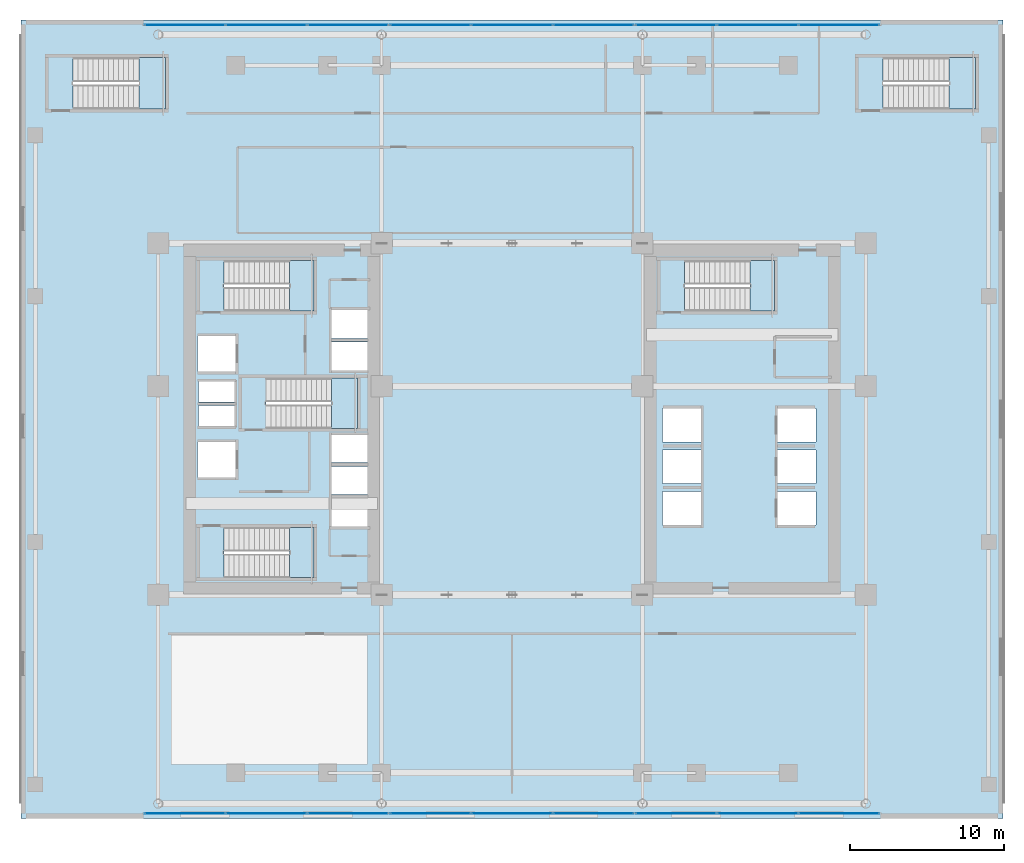
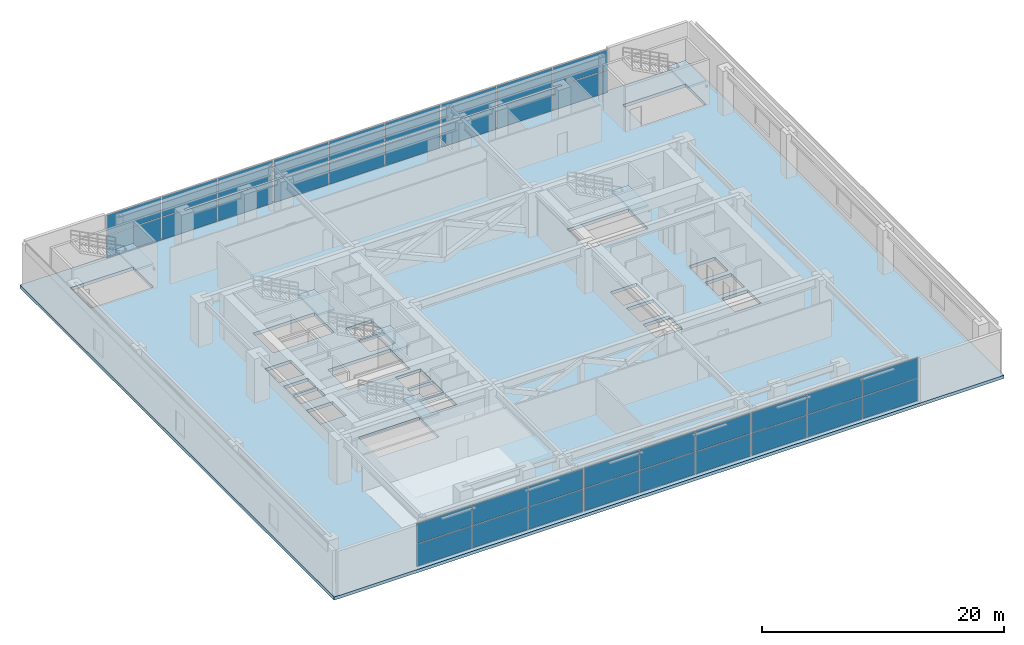
# One storey, part 17 of 28: 36 plates, 7 slabs, 12 elements without a shape of their own.
"""IFC4 building model written with IfcOpenShell, lengths in metres."""

from ifc_helpers import new_model, si_unit, direction, frame, origin, origin_2d, place, context, subcontext, project, spatial, polyline, rectangle, outline, extrude, source, transform, mapped, material, layer, layer_set, type_object, element, aggregate, save


model = new_model("IFC4")

# Units and contexts
model_context = context("Model", 3, precision=1e-05, world=origin(), true_north=direction((0.0, 1.0)))
body_context = subcontext(model_context, "Body", "Model", "MODEL_VIEW")
ifc_project = project(units=[si_unit("LENGTHUNIT", "METRE"), si_unit("AREAUNIT", "SQUARE_METRE"), si_unit("VOLUMEUNIT", "CUBIC_METRE"), si_unit("PLANEANGLEUNIT", "RADIAN"), si_unit("MASSUNIT", "GRAM", prefix="KILO")], contexts=[model_context])

# Site, building, storey
site_placement = place(None, origin())
site = spatial("IfcSite", under=ifc_project, at=site_placement, CompositionType="ELEMENT")
building_placement = place(site_placement, origin())
building = spatial("IfcBuilding", under=site, at=building_placement, Name="Ocotamira Hotel", CompositionType="ELEMENT")
storey_placement = place(building_placement, frame((0.0, 0.0, 24.0)))
storey = spatial("IfcBuildingStorey", under=building, at=storey_placement, Name="L05", CompositionType="ELEMENT", Elevation=24.0)

# Slab
ifc_material_1 = material(Name="Concrete C40/50", Category="concrete")
ifc_layer_1 = layer(ifc_material_1, 0.320068359375)
ifc_layer_set_1 = layer_set([ifc_layer_1], Name="Concrete C40/50")
slab_type_1 = type_object("IfcSlabType", Name="SLB-HVY-320", PredefinedType="FLOOR", material=ifc_layer_set_1)
slab_1_placement = place(storey_placement, frame((0.0, 0.0, -0.320068359375)))
element("IfcSlab", 1, at=slab_1_placement, inside=storey, type_object=slab_type_1, Name="L05 Structural Floor Slab", PredefinedType="FLOOR", context=body_context, shape_type="SweptSolid", body=[
    extrude(outline(polyline([(0.0, 0.0), (64.0, 0.0), (64.0, 52.0), (0.0, 52.0), (0.0, 0.0)]), holes=[polyline([(13.22998046875, 15.669921875), (19.090087890625, 15.669921875), (19.090087890625, 18.949951171875), (13.22998046875, 18.949951171875), (13.22998046875, 15.669921875)]), polyline([(13.22998046875, 33.050048828125), (19.090087890625, 33.050048828125), (19.090087890625, 36.330078125), (13.22998046875, 36.330078125), (13.22998046875, 33.050048828125)]), polyline([(15.9599609375, 25.39990234375), (21.919921875, 25.39990234375), (21.919921875, 28.679931640625), (15.9599609375, 28.679931640625), (15.9599609375, 25.39990234375)]), polyline([(43.22998046875, 33.050048828125), (49.090087890625, 33.050048828125), (49.090087890625, 36.330078125), (43.22998046875, 36.330078125), (43.22998046875, 33.050048828125)]), polyline([(3.39990234375, 46.199951171875), (9.419921875, 46.199951171875), (9.419921875, 49.56005859375), (3.39990234375, 49.56005859375), (3.39990234375, 46.199951171875)]), polyline([(56.179931640625, 46.199951171875), (62.199951171875, 46.199951171875), (62.199951171875, 49.56005859375), (56.179931640625, 49.56005859375), (56.179931640625, 46.199951171875)]), polyline([(49.300048828125, 19.10009765625), (51.800048828125, 19.10009765625), (51.800048828125, 21.300048828125), (49.300048828125, 21.300048828125), (49.300048828125, 19.10009765625)]), polyline([(49.300048828125, 21.800048828125), (51.800048828125, 21.800048828125), (51.800048828125, 24.0), (49.300048828125, 24.0), (49.300048828125, 21.800048828125)]), polyline([(49.300048828125, 24.5), (51.800048828125, 24.5), (51.800048828125, 26.699951171875), (49.300048828125, 26.699951171875), (49.300048828125, 24.5)]), polyline([(41.800048828125, 19.10009765625), (44.300048828125, 19.10009765625), (44.300048828125, 21.300048828125), (41.800048828125, 21.300048828125), (41.800048828125, 19.10009765625)]), polyline([(41.800048828125, 21.800048828125), (44.300048828125, 21.800048828125), (44.300048828125, 24.0), (41.800048828125, 24.0), (41.800048828125, 21.800048828125)]), polyline([(41.800048828125, 24.5), (44.300048828125, 24.5), (44.300048828125, 26.699951171875), (41.800048828125, 26.699951171875), (41.800048828125, 24.5)]), polyline([(20.25, 19.0), (22.659912109375, 19.0), (22.659912109375, 20.85009765625), (20.25, 20.85009765625), (20.25, 19.0)]), polyline([(20.25, 21.080078125), (22.659912109375, 21.080078125), (22.659912109375, 22.929931640625), (20.25, 22.929931640625), (20.25, 21.080078125)]), polyline([(20.25, 23.159912109375), (22.659912109375, 23.159912109375), (22.659912109375, 24.9599609375), (20.25, 24.9599609375), (20.25, 23.159912109375)]), polyline([(20.25, 29.179931640625), (22.659912109375, 29.179931640625), (22.659912109375, 31.030029296875), (20.25, 31.030029296875), (20.25, 29.179931640625)]), polyline([(20.25, 31.260009765625), (22.659912109375, 31.260009765625), (22.659912109375, 33.110107421875), (20.25, 33.110107421875), (20.25, 31.260009765625)]), polyline([(11.5, 22.199951171875), (14.0, 22.199951171875), (14.0, 24.5), (11.5, 24.5), (11.5, 22.199951171875)]), polyline([(11.5, 29.10009765625), (14.0, 29.10009765625), (14.0, 31.39990234375), (11.5, 31.39990234375), (11.5, 29.10009765625)]), polyline([(11.580078125, 25.550048828125), (13.919921875, 25.550048828125), (13.919921875, 26.89990234375), (11.580078125, 26.89990234375), (11.580078125, 25.550048828125)]), polyline([(11.580078125, 27.10009765625), (13.919921875, 27.10009765625), (13.919921875, 28.449951171875), (11.580078125, 28.449951171875), (11.580078125, 27.10009765625)])]), origin(), (0.0, 0.0, 1.0), 0.320068359375),
])

# Stair, slab
stair_type_1 = type_object("IfcStairType", Name="ST-CORE-1560", PredefinedType="HALF_TURN_STAIR", material=ifc_material_1)
stair_1_placement = place(storey_placement, origin())
stair_1 = element("IfcStair", 2, at=stair_1_placement, inside=storey, type_object=stair_type_1, Name="L05 Exit Stair ST-1", PredefinedType="HALF_TURN_STAIR")
ifc_layer_2 = layer(ifc_material_1, 0.199951171875)
ifc_layer_set_2 = layer_set([ifc_layer_2], Name="Concrete C40/50")
slab_type_2 = type_object("IfcSlabType", Name="SLB-LAND-200", PredefinedType="LANDING", material=ifc_layer_set_2)
slab_2_placement = place(storey_placement, frame((0.0, 0.0, 2.199951171875)))
slab_2 = element("IfcSlab", 3, at=slab_2_placement, type_object=slab_type_2, Name="ST-1 landing 1", PredefinedType="LANDING", context=body_context, shape_type="SweptSolid", body=[
    extrude(outline(polyline([(17.52001953125, 15.669921875), (19.090087890625, 15.669921875), (19.090087890625, 18.949951171875), (17.52001953125, 18.949951171875), (17.52001953125, 15.669921875)])), origin(), (0.0, 0.0, 1.0), 0.199951171875),
])
aggregate(stair_1, [slab_2])

stair_2_placement = place(storey_placement, origin())
stair_2 = element("IfcStair", 4, at=stair_2_placement, inside=storey, type_object=stair_type_1, Name="L05 Exit Stair ST-2", PredefinedType="HALF_TURN_STAIR")
slab_3_placement = place(storey_placement, frame((0.0, 0.0, 2.199951171875)))
slab_3 = element("IfcSlab", 5, at=slab_3_placement, type_object=slab_type_2, Name="ST-2 landing 1", PredefinedType="LANDING", context=body_context, shape_type="SweptSolid", body=[
    extrude(outline(polyline([(17.52001953125, 33.050048828125), (19.090087890625, 33.050048828125), (19.090087890625, 36.330078125), (17.52001953125, 36.330078125), (17.52001953125, 33.050048828125)])), origin(), (0.0, 0.0, 1.0), 0.199951171875),
])
aggregate(stair_2, [slab_3])

stair_3_placement = place(storey_placement, origin())
stair_3 = element("IfcStair", 6, at=stair_3_placement, inside=storey, type_object=stair_type_1, Name="L05 Exit Stair ST-3", PredefinedType="HALF_TURN_STAIR")
slab_4_placement = place(storey_placement, frame((0.0, 0.0, 2.199951171875)))
slab_4 = element("IfcSlab", 7, at=slab_4_placement, type_object=slab_type_2, Name="ST-3 landing 1", PredefinedType="LANDING", context=body_context, shape_type="SweptSolid", body=[
    extrude(outline(polyline([(20.25, 25.39990234375), (21.919921875, 25.39990234375), (21.919921875, 28.679931640625), (20.25, 28.679931640625), (20.25, 25.39990234375)])), origin(), (0.0, 0.0, 1.0), 0.199951171875),
])
aggregate(stair_3, [slab_4])

stair_4_placement = place(storey_placement, origin())
stair_4 = element("IfcStair", 8, at=stair_4_placement, inside=storey, type_object=stair_type_1, Name="L05 Exit Stair ST-4", PredefinedType="HALF_TURN_STAIR")
slab_5_placement = place(storey_placement, frame((0.0, 0.0, 2.199951171875)))
slab_5 = element("IfcSlab", 9, at=slab_5_placement, type_object=slab_type_2, Name="ST-4 landing 1", PredefinedType="LANDING", context=body_context, shape_type="SweptSolid", body=[
    extrude(outline(polyline([(47.52001953125, 33.050048828125), (49.090087890625, 33.050048828125), (49.090087890625, 36.330078125), (47.52001953125, 36.330078125), (47.52001953125, 33.050048828125)])), origin(), (0.0, 0.0, 1.0), 0.199951171875),
])
aggregate(stair_4, [slab_5])

stair_type_2 = type_object("IfcStairType", Name="ST-POD-1600", PredefinedType="HALF_TURN_STAIR", material=ifc_material_1)
stair_5_placement = place(storey_placement, origin())
stair_5 = element("IfcStair", 10, at=stair_5_placement, inside=storey, type_object=stair_type_2, Name="L05 Exit Stair ST-5", PredefinedType="HALF_TURN_STAIR")
slab_6_placement = place(storey_placement, frame((0.0, 0.0, 2.199951171875)))
slab_6 = element("IfcSlab", 11, at=slab_6_placement, type_object=slab_type_2, Name="ST-5 landing 1", PredefinedType="LANDING", context=body_context, shape_type="SweptSolid", body=[
    extrude(outline(polyline([(7.68994140625, 46.199951171875), (9.419921875, 46.199951171875), (9.419921875, 49.56005859375), (7.68994140625, 49.56005859375), (7.68994140625, 46.199951171875)])), origin(), (0.0, 0.0, 1.0), 0.199951171875),
])
aggregate(stair_5, [slab_6])

stair_6_placement = place(storey_placement, origin())
stair_6 = element("IfcStair", 12, at=stair_6_placement, inside=storey, type_object=stair_type_2, Name="L05 Exit Stair ST-6", PredefinedType="HALF_TURN_STAIR")
slab_7_placement = place(storey_placement, frame((0.0, 0.0, 2.199951171875)))
slab_7 = element("IfcSlab", 13, at=slab_7_placement, type_object=slab_type_2, Name="ST-6 landing 1", PredefinedType="LANDING", context=body_context, shape_type="SweptSolid", body=[
    extrude(outline(polyline([(60.469970703125, 46.199951171875), (62.199951171875, 46.199951171875), (62.199951171875, 49.56005859375), (60.469970703125, 49.56005859375), (60.469970703125, 46.199951171875)])), origin(), (0.0, 0.0, 1.0), 0.199951171875),
])
aggregate(stair_6, [slab_7])

# Curtain wall, plates
ifc_material_2 = material(Name="Anodised pale-metal aluminium and solar glass", Category="aluminium")
ifc_layer_3 = layer(ifc_material_2, 0.219970703125)
ifc_layer_set_3 = layer_set([ifc_layer_3], Name="Anodised pale-metal aluminium and solar glass")
curtain_wall_type = type_object("IfcCurtainWallType", Name="CW-SYS1-POD", PredefinedType="NOTDEFINED", material=ifc_layer_set_3)
curtain_wall_1_placement = place(storey_placement, origin())
curtain_wall_1 = element("IfcCurtainWall", 14, at=curtain_wall_1_placement, inside=storey, type_object=curtain_wall_type, Name="L05 Curtain Wall CW-1 CW-L05-S1", PredefinedType="NOTDEFINED")
ifc_material_3 = material(Name="Double-silver low-E insulated solar glass", Category="glass")
ifc_layer_4 = layer(ifc_material_3, 0.031982421875)
ifc_layer_set_4 = layer_set([ifc_layer_4], Name="Double-silver low-E insulated solar glass")
plate_type = type_object("IfcPlateType", Name="CWP-VISION-32", PredefinedType="CURTAIN_PANEL", material=ifc_layer_set_4)
shared_shape_1 = source(origin(), body_context, "Body", "SweptSolid", [
    extrude(rectangle(XDim=5.21337890625, YDim=0.031982421875, at=origin_2d()), origin(), (0.0, 0.0, 1.0), 2.237548828125),
])
plate_1_placement = place(storey_placement, frame((10.686767578125, 0.320068359375, 0.0751953125), z_axis=(0.0, 0.0, 1.0), x_axis=(1.0, 0.0, 0.0)))
plate_1 = element("IfcPlate", 15, at=plate_1_placement, type_object=plate_type, Name="CW-1 panel 1.1", PredefinedType="CURTAIN_PANEL", context=body_context, shape_type="MappedRepresentation", body=[
    mapped(shared_shape_1, transform((0.0, 0.0, 0.0), scale=1.0)),
])
plate_2_placement = place(storey_placement, frame((21.313232421875, 0.320068359375, 0.0751953125), z_axis=(0.0, 0.0, 1.0), x_axis=(1.0, 0.0, 0.0)))
plate_2 = element("IfcPlate", 16, at=plate_2_placement, type_object=plate_type, Name="CW-1 panel 3.1", PredefinedType="CURTAIN_PANEL", context=body_context, shape_type="MappedRepresentation", body=[
    mapped(shared_shape_1, transform((0.0, 0.0, 0.0), scale=1.0)),
])

curtain_wall_2_placement = place(storey_placement, origin())
curtain_wall_2 = element("IfcCurtainWall", 17, at=curtain_wall_2_placement, inside=storey, type_object=curtain_wall_type, Name="L05 Curtain Wall CW-1 CW-L05-S2", PredefinedType="NOTDEFINED")
plate_3_placement = place(storey_placement, frame((26.686767578125, 0.320068359375, 0.0751953125), z_axis=(0.0, 0.0, 1.0), x_axis=(1.0, 0.0, 0.0)))
plate_3 = element("IfcPlate", 18, at=plate_3_placement, type_object=plate_type, Name="CW-1 panel 1.1", PredefinedType="CURTAIN_PANEL", context=body_context, shape_type="MappedRepresentation", body=[
    mapped(shared_shape_1, transform((0.0, 0.0, 0.0), scale=1.0)),
])
plate_4_placement = place(storey_placement, frame((37.313232421875, 0.320068359375, 0.0751953125), z_axis=(0.0, 0.0, 1.0), x_axis=(1.0, 0.0, 0.0)))
plate_4 = element("IfcPlate", 19, at=plate_4_placement, type_object=plate_type, Name="CW-1 panel 3.1", PredefinedType="CURTAIN_PANEL", context=body_context, shape_type="MappedRepresentation", body=[
    mapped(shared_shape_1, transform((0.0, 0.0, 0.0), scale=1.0)),
])

curtain_wall_3_placement = place(storey_placement, origin())
curtain_wall_3 = element("IfcCurtainWall", 20, at=curtain_wall_3_placement, inside=storey, type_object=curtain_wall_type, Name="L05 Curtain Wall CW-1 CW-L05-S3", PredefinedType="NOTDEFINED")
plate_5_placement = place(storey_placement, frame((42.686767578125, 0.320068359375, 0.0751953125), z_axis=(0.0, 0.0, 1.0), x_axis=(1.0, 0.0, 0.0)))
plate_5 = element("IfcPlate", 21, at=plate_5_placement, type_object=plate_type, Name="CW-1 panel 1.1", PredefinedType="CURTAIN_PANEL", context=body_context, shape_type="MappedRepresentation", body=[
    mapped(shared_shape_1, transform((0.0, 0.0, 0.0), scale=1.0)),
])
plate_6_placement = place(storey_placement, frame((53.313232421875, 0.320068359375, 0.0751953125), z_axis=(0.0, 0.0, 1.0), x_axis=(1.0, 0.0, 0.0)))
plate_6 = element("IfcPlate", 22, at=plate_6_placement, type_object=plate_type, Name="CW-1 panel 3.1", PredefinedType="CURTAIN_PANEL", context=body_context, shape_type="MappedRepresentation", body=[
    mapped(shared_shape_1, transform((0.0, 0.0, 0.0), scale=1.0)),
])

curtain_wall_4_placement = place(storey_placement, origin())
curtain_wall_4 = element("IfcCurtainWall", 23, at=curtain_wall_4_placement, inside=storey, type_object=curtain_wall_type, Name="L05 Curtain Wall CW-1 CW-L05-N1", PredefinedType="NOTDEFINED")
plate_7_placement = place(storey_placement, frame((10.686767578125, 51.679931640625, 0.0751953125), z_axis=(0.0, 0.0, 1.0), x_axis=(1.0, 0.0, 0.0)))
plate_7 = element("IfcPlate", 24, at=plate_7_placement, type_object=plate_type, Name="CW-1 panel 1.1", PredefinedType="CURTAIN_PANEL", context=body_context, shape_type="MappedRepresentation", body=[
    mapped(shared_shape_1, transform((0.0, 0.0, 0.0), scale=1.0)),
])
plate_8_placement = place(storey_placement, frame((21.313232421875, 51.679931640625, 0.0751953125), z_axis=(0.0, 0.0, 1.0), x_axis=(1.0, 0.0, 0.0)))
plate_8 = element("IfcPlate", 25, at=plate_8_placement, type_object=plate_type, Name="CW-1 panel 3.1", PredefinedType="CURTAIN_PANEL", context=body_context, shape_type="MappedRepresentation", body=[
    mapped(shared_shape_1, transform((0.0, 0.0, 0.0), scale=1.0)),
])

curtain_wall_5_placement = place(storey_placement, origin())
curtain_wall_5 = element("IfcCurtainWall", 26, at=curtain_wall_5_placement, inside=storey, type_object=curtain_wall_type, Name="L05 Curtain Wall CW-1 CW-L05-N2", PredefinedType="NOTDEFINED")
plate_9_placement = place(storey_placement, frame((26.686767578125, 51.679931640625, 0.0751953125), z_axis=(0.0, 0.0, 1.0), x_axis=(1.0, 0.0, 0.0)))
plate_9 = element("IfcPlate", 27, at=plate_9_placement, type_object=plate_type, Name="CW-1 panel 1.1", PredefinedType="CURTAIN_PANEL", context=body_context, shape_type="MappedRepresentation", body=[
    mapped(shared_shape_1, transform((0.0, 0.0, 0.0), scale=1.0)),
])
plate_10_placement = place(storey_placement, frame((37.313232421875, 51.679931640625, 0.0751953125), z_axis=(0.0, 0.0, 1.0), x_axis=(1.0, 0.0, 0.0)))
plate_10 = element("IfcPlate", 28, at=plate_10_placement, type_object=plate_type, Name="CW-1 panel 3.1", PredefinedType="CURTAIN_PANEL", context=body_context, shape_type="MappedRepresentation", body=[
    mapped(shared_shape_1, transform((0.0, 0.0, 0.0), scale=1.0)),
])

curtain_wall_6_placement = place(storey_placement, origin())
curtain_wall_6 = element("IfcCurtainWall", 29, at=curtain_wall_6_placement, inside=storey, type_object=curtain_wall_type, Name="L05 Curtain Wall CW-1 CW-L05-N3", PredefinedType="NOTDEFINED")
plate_11_placement = place(storey_placement, frame((42.686767578125, 51.679931640625, 0.0751953125), z_axis=(0.0, 0.0, 1.0), x_axis=(1.0, 0.0, 0.0)))
plate_11 = element("IfcPlate", 30, at=plate_11_placement, type_object=plate_type, Name="CW-1 panel 1.1", PredefinedType="CURTAIN_PANEL", context=body_context, shape_type="MappedRepresentation", body=[
    mapped(shared_shape_1, transform((0.0, 0.0, 0.0), scale=1.0)),
])
plate_12_placement = place(storey_placement, frame((53.313232421875, 51.679931640625, 0.0751953125), z_axis=(0.0, 0.0, 1.0), x_axis=(1.0, 0.0, 0.0)))
plate_12 = element("IfcPlate", 31, at=plate_12_placement, type_object=plate_type, Name="CW-1 panel 3.1", PredefinedType="CURTAIN_PANEL", context=body_context, shape_type="MappedRepresentation", body=[
    mapped(shared_shape_1, transform((0.0, 0.0, 0.0), scale=1.0)),
])

# Plate
shared_shape_2 = source(origin(), body_context, "Body", "SweptSolid", [
    extrude(rectangle(XDim=5.21337890625, YDim=0.031982421875, at=origin_2d()), origin(), (0.0, 0.0, 1.0), 2.017578125),
])
plate_13_placement = place(storey_placement, frame((10.686767578125, 0.320068359375, 2.387451171875), z_axis=(0.0, 0.0, 1.0), x_axis=(1.0, 0.0, 0.0)))
plate_13 = element("IfcPlate", 32, at=plate_13_placement, type_object=plate_type, Name="CW-1 panel 1.2", PredefinedType="CURTAIN_PANEL", context=body_context, shape_type="MappedRepresentation", body=[
    mapped(shared_shape_2, transform((0.0, 0.0, 0.0), scale=1.0)),
])

plate_14_placement = place(storey_placement, frame((21.313232421875, 0.320068359375, 2.387451171875), z_axis=(0.0, 0.0, 1.0), x_axis=(1.0, 0.0, 0.0)))
plate_14 = element("IfcPlate", 33, at=plate_14_placement, type_object=plate_type, Name="CW-1 panel 3.2", PredefinedType="CURTAIN_PANEL", context=body_context, shape_type="MappedRepresentation", body=[
    mapped(shared_shape_2, transform((0.0, 0.0, 0.0), scale=1.0)),
])

plate_15_placement = place(storey_placement, frame((26.686767578125, 0.320068359375, 2.387451171875), z_axis=(0.0, 0.0, 1.0), x_axis=(1.0, 0.0, 0.0)))
plate_15 = element("IfcPlate", 34, at=plate_15_placement, type_object=plate_type, Name="CW-1 panel 1.2", PredefinedType="CURTAIN_PANEL", context=body_context, shape_type="MappedRepresentation", body=[
    mapped(shared_shape_2, transform((0.0, 0.0, 0.0), scale=1.0)),
])

plate_16_placement = place(storey_placement, frame((37.313232421875, 0.320068359375, 2.387451171875), z_axis=(0.0, 0.0, 1.0), x_axis=(1.0, 0.0, 0.0)))
plate_16 = element("IfcPlate", 35, at=plate_16_placement, type_object=plate_type, Name="CW-1 panel 3.2", PredefinedType="CURTAIN_PANEL", context=body_context, shape_type="MappedRepresentation", body=[
    mapped(shared_shape_2, transform((0.0, 0.0, 0.0), scale=1.0)),
])

plate_17_placement = place(storey_placement, frame((42.686767578125, 0.320068359375, 2.387451171875), z_axis=(0.0, 0.0, 1.0), x_axis=(1.0, 0.0, 0.0)))
plate_17 = element("IfcPlate", 36, at=plate_17_placement, type_object=plate_type, Name="CW-1 panel 1.2", PredefinedType="CURTAIN_PANEL", context=body_context, shape_type="MappedRepresentation", body=[
    mapped(shared_shape_2, transform((0.0, 0.0, 0.0), scale=1.0)),
])

plate_18_placement = place(storey_placement, frame((53.313232421875, 0.320068359375, 2.387451171875), z_axis=(0.0, 0.0, 1.0), x_axis=(1.0, 0.0, 0.0)))
plate_18 = element("IfcPlate", 37, at=plate_18_placement, type_object=plate_type, Name="CW-1 panel 3.2", PredefinedType="CURTAIN_PANEL", context=body_context, shape_type="MappedRepresentation", body=[
    mapped(shared_shape_2, transform((0.0, 0.0, 0.0), scale=1.0)),
])

plate_19_placement = place(storey_placement, frame((10.686767578125, 51.679931640625, 2.387451171875), z_axis=(0.0, 0.0, 1.0), x_axis=(1.0, 0.0, 0.0)))
plate_19 = element("IfcPlate", 38, at=plate_19_placement, type_object=plate_type, Name="CW-1 panel 1.2", PredefinedType="CURTAIN_PANEL", context=body_context, shape_type="MappedRepresentation", body=[
    mapped(shared_shape_2, transform((0.0, 0.0, 0.0), scale=1.0)),
])

plate_20_placement = place(storey_placement, frame((21.313232421875, 51.679931640625, 2.387451171875), z_axis=(0.0, 0.0, 1.0), x_axis=(1.0, 0.0, 0.0)))
plate_20 = element("IfcPlate", 39, at=plate_20_placement, type_object=plate_type, Name="CW-1 panel 3.2", PredefinedType="CURTAIN_PANEL", context=body_context, shape_type="MappedRepresentation", body=[
    mapped(shared_shape_2, transform((0.0, 0.0, 0.0), scale=1.0)),
])

plate_21_placement = place(storey_placement, frame((26.686767578125, 51.679931640625, 2.387451171875), z_axis=(0.0, 0.0, 1.0), x_axis=(1.0, 0.0, 0.0)))
plate_21 = element("IfcPlate", 40, at=plate_21_placement, type_object=plate_type, Name="CW-1 panel 1.2", PredefinedType="CURTAIN_PANEL", context=body_context, shape_type="MappedRepresentation", body=[
    mapped(shared_shape_2, transform((0.0, 0.0, 0.0), scale=1.0)),
])

plate_22_placement = place(storey_placement, frame((37.313232421875, 51.679931640625, 2.387451171875), z_axis=(0.0, 0.0, 1.0), x_axis=(1.0, 0.0, 0.0)))
plate_22 = element("IfcPlate", 41, at=plate_22_placement, type_object=plate_type, Name="CW-1 panel 3.2", PredefinedType="CURTAIN_PANEL", context=body_context, shape_type="MappedRepresentation", body=[
    mapped(shared_shape_2, transform((0.0, 0.0, 0.0), scale=1.0)),
])

plate_23_placement = place(storey_placement, frame((42.686767578125, 51.679931640625, 2.387451171875), z_axis=(0.0, 0.0, 1.0), x_axis=(1.0, 0.0, 0.0)))
plate_23 = element("IfcPlate", 42, at=plate_23_placement, type_object=plate_type, Name="CW-1 panel 1.2", PredefinedType="CURTAIN_PANEL", context=body_context, shape_type="MappedRepresentation", body=[
    mapped(shared_shape_2, transform((0.0, 0.0, 0.0), scale=1.0)),
])

plate_24_placement = place(storey_placement, frame((53.313232421875, 51.679931640625, 2.387451171875), z_axis=(0.0, 0.0, 1.0), x_axis=(1.0, 0.0, 0.0)))
plate_24 = element("IfcPlate", 43, at=plate_24_placement, type_object=plate_type, Name="CW-1 panel 3.2", PredefinedType="CURTAIN_PANEL", context=body_context, shape_type="MappedRepresentation", body=[
    mapped(shared_shape_2, transform((0.0, 0.0, 0.0), scale=1.0)),
])

shared_shape_3 = source(origin(), body_context, "Body", "SweptSolid", [
    extrude(rectangle(XDim=5.25341796875, YDim=0.031982421875, at=origin_2d()), origin(), (0.0, 0.0, 1.0), 2.237548828125),
])
plate_25_placement = place(storey_placement, frame((16.0, 0.320068359375, 0.0751953125), z_axis=(0.0, 0.0, 1.0), x_axis=(1.0, 0.0, 0.0)))
plate_25 = element("IfcPlate", 44, at=plate_25_placement, type_object=plate_type, Name="CW-1 panel 2.1", PredefinedType="CURTAIN_PANEL", context=body_context, shape_type="MappedRepresentation", body=[
    mapped(shared_shape_3, transform((0.0, 0.0, 0.0), scale=1.0)),
])

plate_26_placement = place(storey_placement, frame((32.0, 0.320068359375, 0.0751953125), z_axis=(0.0, 0.0, 1.0), x_axis=(1.0, 0.0, 0.0)))
plate_26 = element("IfcPlate", 45, at=plate_26_placement, type_object=plate_type, Name="CW-1 panel 2.1", PredefinedType="CURTAIN_PANEL", context=body_context, shape_type="MappedRepresentation", body=[
    mapped(shared_shape_3, transform((0.0, 0.0, 0.0), scale=1.0)),
])

plate_27_placement = place(storey_placement, frame((48.0, 0.320068359375, 0.0751953125), z_axis=(0.0, 0.0, 1.0), x_axis=(1.0, 0.0, 0.0)))
plate_27 = element("IfcPlate", 46, at=plate_27_placement, type_object=plate_type, Name="CW-1 panel 2.1", PredefinedType="CURTAIN_PANEL", context=body_context, shape_type="MappedRepresentation", body=[
    mapped(shared_shape_3, transform((0.0, 0.0, 0.0), scale=1.0)),
])

plate_28_placement = place(storey_placement, frame((16.0, 51.679931640625, 0.0751953125), z_axis=(0.0, 0.0, 1.0), x_axis=(1.0, 0.0, 0.0)))
plate_28 = element("IfcPlate", 47, at=plate_28_placement, type_object=plate_type, Name="CW-1 panel 2.1", PredefinedType="CURTAIN_PANEL", context=body_context, shape_type="MappedRepresentation", body=[
    mapped(shared_shape_3, transform((0.0, 0.0, 0.0), scale=1.0)),
])

plate_29_placement = place(storey_placement, frame((32.0, 51.679931640625, 0.0751953125), z_axis=(0.0, 0.0, 1.0), x_axis=(1.0, 0.0, 0.0)))
plate_29 = element("IfcPlate", 48, at=plate_29_placement, type_object=plate_type, Name="CW-1 panel 2.1", PredefinedType="CURTAIN_PANEL", context=body_context, shape_type="MappedRepresentation", body=[
    mapped(shared_shape_3, transform((0.0, 0.0, 0.0), scale=1.0)),
])

plate_30_placement = place(storey_placement, frame((48.0, 51.679931640625, 0.0751953125), z_axis=(0.0, 0.0, 1.0), x_axis=(1.0, 0.0, 0.0)))
plate_30 = element("IfcPlate", 49, at=plate_30_placement, type_object=plate_type, Name="CW-1 panel 2.1", PredefinedType="CURTAIN_PANEL", context=body_context, shape_type="MappedRepresentation", body=[
    mapped(shared_shape_3, transform((0.0, 0.0, 0.0), scale=1.0)),
])

shared_shape_4 = source(origin(), body_context, "Body", "SweptSolid", [
    extrude(rectangle(XDim=5.25341796875, YDim=0.031982421875, at=origin_2d()), origin(), (0.0, 0.0, 1.0), 2.017578125),
])
plate_31_placement = place(storey_placement, frame((16.0, 0.320068359375, 2.387451171875), z_axis=(0.0, 0.0, 1.0), x_axis=(1.0, 0.0, 0.0)))
plate_31 = element("IfcPlate", 50, at=plate_31_placement, type_object=plate_type, Name="CW-1 panel 2.2", PredefinedType="CURTAIN_PANEL", context=body_context, shape_type="MappedRepresentation", body=[
    mapped(shared_shape_4, transform((0.0, 0.0, 0.0), scale=1.0)),
])

aggregate(curtain_wall_1, [plate_1, plate_13, plate_25, plate_31, plate_2, plate_14])

plate_32_placement = place(storey_placement, frame((32.0, 0.320068359375, 2.387451171875), z_axis=(0.0, 0.0, 1.0), x_axis=(1.0, 0.0, 0.0)))
plate_32 = element("IfcPlate", 51, at=plate_32_placement, type_object=plate_type, Name="CW-1 panel 2.2", PredefinedType="CURTAIN_PANEL", context=body_context, shape_type="MappedRepresentation", body=[
    mapped(shared_shape_4, transform((0.0, 0.0, 0.0), scale=1.0)),
])

aggregate(curtain_wall_2, [plate_3, plate_15, plate_26, plate_32, plate_4, plate_16])

plate_33_placement = place(storey_placement, frame((48.0, 0.320068359375, 2.387451171875), z_axis=(0.0, 0.0, 1.0), x_axis=(1.0, 0.0, 0.0)))
plate_33 = element("IfcPlate", 52, at=plate_33_placement, type_object=plate_type, Name="CW-1 panel 2.2", PredefinedType="CURTAIN_PANEL", context=body_context, shape_type="MappedRepresentation", body=[
    mapped(shared_shape_4, transform((0.0, 0.0, 0.0), scale=1.0)),
])

aggregate(curtain_wall_3, [plate_5, plate_17, plate_27, plate_33, plate_6, plate_18])

plate_34_placement = place(storey_placement, frame((16.0, 51.679931640625, 2.387451171875), z_axis=(0.0, 0.0, 1.0), x_axis=(1.0, 0.0, 0.0)))
plate_34 = element("IfcPlate", 53, at=plate_34_placement, type_object=plate_type, Name="CW-1 panel 2.2", PredefinedType="CURTAIN_PANEL", context=body_context, shape_type="MappedRepresentation", body=[
    mapped(shared_shape_4, transform((0.0, 0.0, 0.0), scale=1.0)),
])

aggregate(curtain_wall_4, [plate_7, plate_19, plate_28, plate_34, plate_8, plate_20])

plate_35_placement = place(storey_placement, frame((32.0, 51.679931640625, 2.387451171875), z_axis=(0.0, 0.0, 1.0), x_axis=(1.0, 0.0, 0.0)))
plate_35 = element("IfcPlate", 54, at=plate_35_placement, type_object=plate_type, Name="CW-1 panel 2.2", PredefinedType="CURTAIN_PANEL", context=body_context, shape_type="MappedRepresentation", body=[
    mapped(shared_shape_4, transform((0.0, 0.0, 0.0), scale=1.0)),
])

aggregate(curtain_wall_5, [plate_9, plate_21, plate_29, plate_35, plate_10, plate_22])

plate_36_placement = place(storey_placement, frame((48.0, 51.679931640625, 2.387451171875), z_axis=(0.0, 0.0, 1.0), x_axis=(1.0, 0.0, 0.0)))
plate_36 = element("IfcPlate", 55, at=plate_36_placement, type_object=plate_type, Name="CW-1 panel 2.2", PredefinedType="CURTAIN_PANEL", context=body_context, shape_type="MappedRepresentation", body=[
    mapped(shared_shape_4, transform((0.0, 0.0, 0.0), scale=1.0)),
])

aggregate(curtain_wall_6, [plate_11, plate_23, plate_30, plate_36, plate_12, plate_24])

save(model, "model.ifc")
